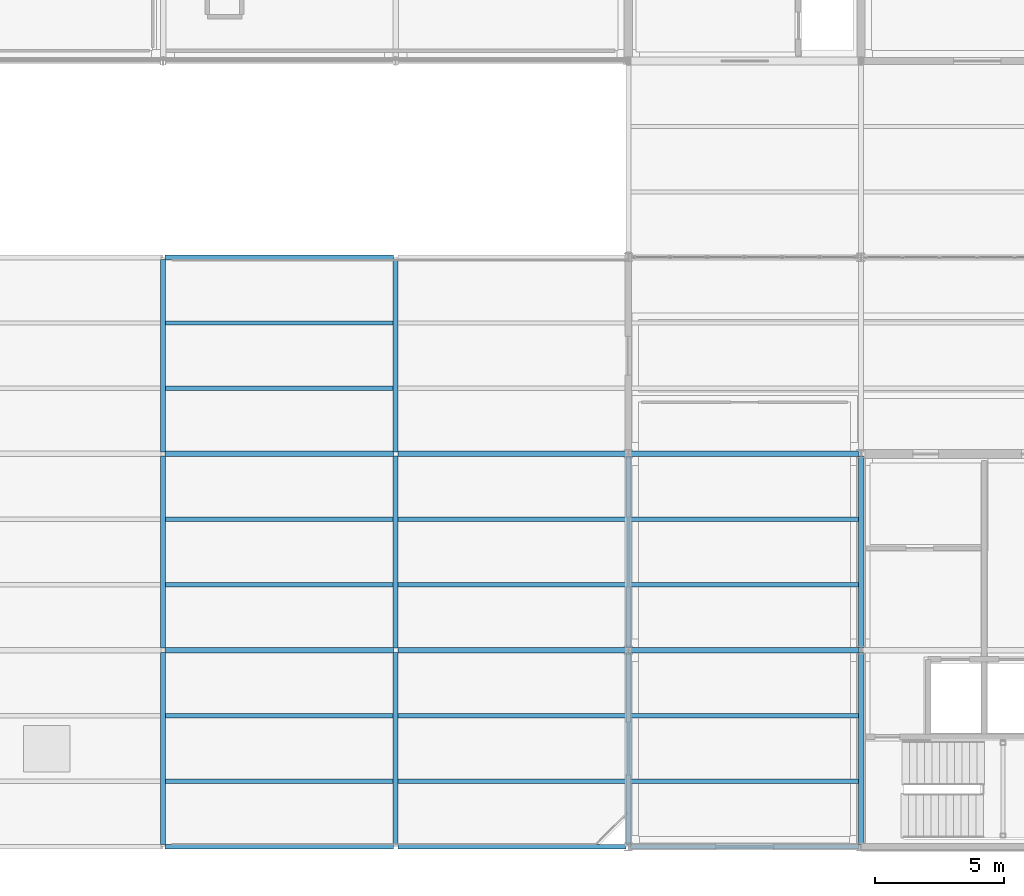
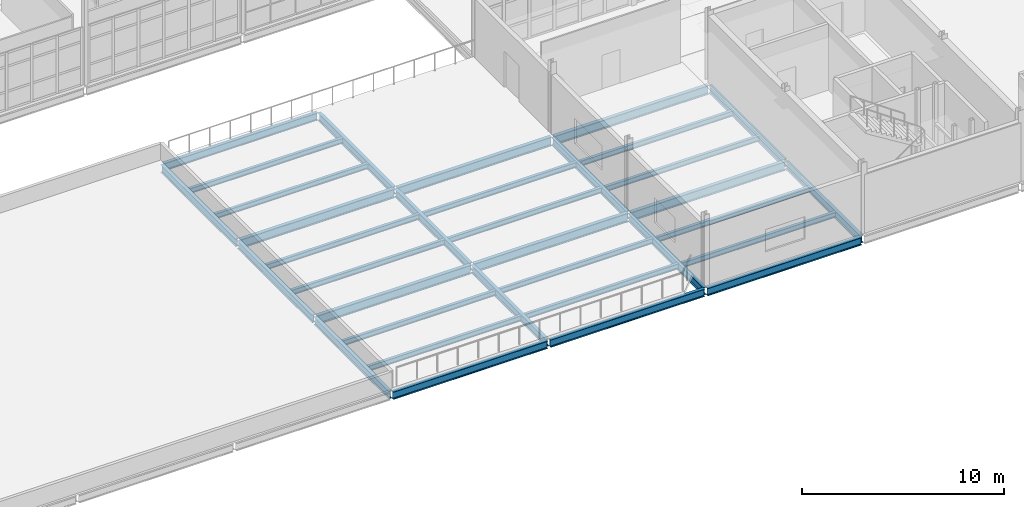
# One storey, part 30 of 166: 34 beams.
"""IFC4 building model written with IfcOpenShell, lengths in metres."""

from ifc_helpers import new_model, si_unit, direction, frame, origin, origin_2d, place, context, subcontext, project, spatial, i_section, extrude, material, material_profile, profile_set, type_object, element, save


model = new_model("IFC4")

# Units and contexts
model_context = context("Model", 3, precision=1e-05, world=origin(), true_north=direction((0.0, 1.0)))
body_context = subcontext(model_context, "Body", "Model", "MODEL_VIEW")
ifc_project = project(units=[si_unit("LENGTHUNIT", "METRE"), si_unit("AREAUNIT", "SQUARE_METRE"), si_unit("VOLUMEUNIT", "CUBIC_METRE"), si_unit("PLANEANGLEUNIT", "RADIAN"), si_unit("MASSUNIT", "GRAM", prefix="KILO")], contexts=[model_context])

# Site, building, storey
site_placement = place(None, origin())
site = spatial("IfcSite", under=ifc_project, at=site_placement, CompositionType="ELEMENT")
building_placement = place(site_placement, origin())
building = spatial("IfcBuilding", under=site, at=building_placement, Name="Caisbarro Railhouse Central Library", CompositionType="ELEMENT")
storey_placement = place(building_placement, frame((0.0, 0.0, 9.360107421875)))
storey = spatial("IfcBuildingStorey", under=building, at=storey_placement, Name="L02", CompositionType="ELEMENT", Elevation=9.360107421875)

# Beams
ifc_material = material(Name="Steel ASTM A572 Grade 50", Category="steel")
ifc_material_profile_1 = material_profile(ifc_material, i_section(OverallWidth=0.2119140625, OverallDepth=0.5439453125, WebThickness=0.01318359375, FlangeThickness=0.021240234375, FilletRadius=0.02001953125, at=origin_2d()), Name="W530X123.0")
ifc_profile_set_1 = profile_set([ifc_material_profile_1], Name="Steel ASTM A572 Grade 50")
beam_type_1 = type_object("IfcBeamType", Name="BM-G05", PredefinedType="BEAM", material=ifc_profile_set_1)
for number, where, z_axis, x_axis, name in (
    (1, (54.080078125, 7.60009765625, -0.51220703125), (1.0, 0.0, 0.0), (0.0, 1.0, 0.0), "G05 beam L02 #1284"),
    (2, (54.080078125, 15.199951171875, -0.51220703125), (1.0, 0.0, 0.0), (0.0, 1.0, 0.0), "G05 beam L02 #1290"),
    (3, (36.080078125, 7.60009765625, -0.482177734375), (1.0, 0.0, 0.0), (0.0, 1.0, 0.0), "G05 beam L02 #1585"),
    (4, (45.080078125, 7.60009765625, -0.482177734375), (1.0, 0.0, 0.0), (0.0, 1.0, 0.0), "G05 beam L02 #1586"),
    (5, (36.080078125, 15.199951171875, -0.482177734375), (1.0, 0.0, 0.0), (0.0, 1.0, 0.0), "G05 beam L02 #1587"),
    (6, (45.080078125, 15.199951171875, -0.482177734375), (1.0, 0.0, 0.0), (0.0, 1.0, 0.0), "G05 beam L02 #1588"),
):
    element("IfcBeam", number, at=place(storey_placement, frame(where, z_axis=z_axis, x_axis=x_axis)), inside=storey, type_object=beam_type_1, Name=name, PredefinedType="BEAM", context=body_context, shape_type="SweptSolid", body=[
        extrude(i_section(OverallWidth=0.2119140625, OverallDepth=0.5439453125, WebThickness=0.01318359375, FlangeThickness=0.021240234375, FilletRadius=0.02001953125, at=origin_2d()), origin(), (0.0, 0.0, 1.0), 8.83984375),
    ])
ifc_material_profile_2 = material_profile(ifc_material, i_section(OverallWidth=0.194091796875, OverallDepth=0.468994140625, WebThickness=0.0126953125, FlangeThickness=0.0205078125, FilletRadius=0.01806640625, at=origin_2d()), Name="W460X106.0")
ifc_profile_set_2 = profile_set([ifc_material_profile_2], Name="Steel ASTM A572 Grade 50")
beam_type_2 = type_object("IfcBeamType", Name="BM-G07", PredefinedType="BEAM", material=ifc_profile_set_2)
beam_1_placement = place(storey_placement, frame((54.0, 0.080078125, -0.474609375), z_axis=(0.0, 1.0, 0.0), x_axis=(-1.0, 0.0, 0.0)))
element("IfcBeam", 7, at=beam_1_placement, inside=storey, type_object=beam_type_2, Name="G07 beam L02 #1302", PredefinedType="BEAM", context=body_context, shape_type="SweptSolid", body=[
    extrude(i_section(OverallWidth=0.194091796875, OverallDepth=0.468994140625, WebThickness=0.0126953125, FlangeThickness=0.0205078125, FilletRadius=0.01806640625, at=origin_2d()), origin(), (0.0, 0.0, 1.0), 7.43994140625),
])
beam_2_placement = place(storey_placement, frame((54.0, 7.679931640625, -0.474609375), z_axis=(0.0, 1.0, 0.0), x_axis=(-1.0, 0.0, 0.0)))
element("IfcBeam", 8, at=beam_2_placement, inside=storey, type_object=beam_type_2, Name="G07 beam L02 #1303", PredefinedType="BEAM", context=body_context, shape_type="SweptSolid", body=[
    extrude(i_section(OverallWidth=0.194091796875, OverallDepth=0.468994140625, WebThickness=0.0126953125, FlangeThickness=0.0205078125, FilletRadius=0.01806640625, at=origin_2d()), origin(), (0.0, 0.0, 1.0), 7.440185546875),
])
beam_3_placement = place(storey_placement, frame((63.0, 0.080078125, -0.474609375), z_axis=(0.0, 1.0, 0.0), x_axis=(-1.0, 0.0, 0.0)))
element("IfcBeam", 9, at=beam_3_placement, inside=storey, type_object=beam_type_2, Name="G07 beam L02 #1305", PredefinedType="BEAM", context=body_context, shape_type="SweptSolid", body=[
    extrude(i_section(OverallWidth=0.194091796875, OverallDepth=0.468994140625, WebThickness=0.0126953125, FlangeThickness=0.0205078125, FilletRadius=0.01806640625, at=origin_2d()), origin(), (0.0, 0.0, 1.0), 7.43994140625),
])
beam_4_placement = place(storey_placement, frame((63.0, 7.679931640625, -0.474609375), z_axis=(0.0, 1.0, 0.0), x_axis=(-1.0, 0.0, 0.0)))
element("IfcBeam", 10, at=beam_4_placement, inside=storey, type_object=beam_type_2, Name="G07 beam L02 #1306", PredefinedType="BEAM", context=body_context, shape_type="SweptSolid", body=[
    extrude(i_section(OverallWidth=0.194091796875, OverallDepth=0.468994140625, WebThickness=0.0126953125, FlangeThickness=0.0205078125, FilletRadius=0.01806640625, at=origin_2d()), origin(), (0.0, 0.0, 1.0), 7.440185546875),
])
beam_5_placement = place(storey_placement, frame((36.0, 0.080078125, -0.444580078125), z_axis=(0.0, 1.0, 0.0), x_axis=(-1.0, 0.0, 0.0)))
element("IfcBeam", 11, at=beam_5_placement, inside=storey, type_object=beam_type_2, Name="G07 beam L02 #1591", PredefinedType="BEAM", context=body_context, shape_type="SweptSolid", body=[
    extrude(i_section(OverallWidth=0.194091796875, OverallDepth=0.468994140625, WebThickness=0.0126953125, FlangeThickness=0.0205078125, FilletRadius=0.01806640625, at=origin_2d()), origin(), (0.0, 0.0, 1.0), 7.43994140625),
])
beam_6_placement = place(storey_placement, frame((36.0, 7.679931640625, -0.444580078125), z_axis=(0.0, 1.0, 0.0), x_axis=(-1.0, 0.0, 0.0)))
element("IfcBeam", 12, at=beam_6_placement, inside=storey, type_object=beam_type_2, Name="G07 beam L02 #1592", PredefinedType="BEAM", context=body_context, shape_type="SweptSolid", body=[
    extrude(i_section(OverallWidth=0.194091796875, OverallDepth=0.468994140625, WebThickness=0.0126953125, FlangeThickness=0.0205078125, FilletRadius=0.01806640625, at=origin_2d()), origin(), (0.0, 0.0, 1.0), 7.440185546875),
])
for number, where, z_axis, x_axis, name in (
    (13, (36.0, 15.280029296875, -0.444580078125), (0.0, 1.0, 0.0), (-1.0, 0.0, 0.0), "G07 beam L02 #1593"),
    (14, (45.0, 0.080078125, -0.444580078125), (0.0, 1.0, 0.0), (-1.0, 0.0, 0.0), "G07 beam L02 #1594"),
):
    element("IfcBeam", number, at=place(storey_placement, frame(where, z_axis=z_axis, x_axis=x_axis)), inside=storey, type_object=beam_type_2, Name=name, PredefinedType="BEAM", context=body_context, shape_type="SweptSolid", body=[
        extrude(i_section(OverallWidth=0.194091796875, OverallDepth=0.468994140625, WebThickness=0.0126953125, FlangeThickness=0.0205078125, FilletRadius=0.01806640625, at=origin_2d()), origin(), (0.0, 0.0, 1.0), 7.43994140625),
    ])
beam_7_placement = place(storey_placement, frame((45.0, 7.679931640625, -0.444580078125), z_axis=(0.0, 1.0, 0.0), x_axis=(-1.0, 0.0, 0.0)))
element("IfcBeam", 15, at=beam_7_placement, inside=storey, type_object=beam_type_2, Name="G07 beam L02 #1595", PredefinedType="BEAM", context=body_context, shape_type="SweptSolid", body=[
    extrude(i_section(OverallWidth=0.194091796875, OverallDepth=0.468994140625, WebThickness=0.0126953125, FlangeThickness=0.0205078125, FilletRadius=0.01806640625, at=origin_2d()), origin(), (0.0, 0.0, 1.0), 7.440185546875),
])
beam_8_placement = place(storey_placement, frame((45.0, 15.280029296875, -0.444580078125), z_axis=(0.0, 1.0, 0.0), x_axis=(-1.0, 0.0, 0.0)))
element("IfcBeam", 16, at=beam_8_placement, inside=storey, type_object=beam_type_2, Name="G07 beam L02 #1596", PredefinedType="BEAM", context=body_context, shape_type="SweptSolid", body=[
    extrude(i_section(OverallWidth=0.194091796875, OverallDepth=0.468994140625, WebThickness=0.0126953125, FlangeThickness=0.0205078125, FilletRadius=0.01806640625, at=origin_2d()), origin(), (0.0, 0.0, 1.0), 7.43994140625),
])
ifc_material_profile_3 = material_profile(ifc_material, i_section(OverallWidth=0.1669921875, OverallDepth=0.31689453125, WebThickness=0.007568359375, FlangeThickness=0.01318359375, FilletRadius=0.011962890625, at=origin_2d()), Name="W310X52.0")
ifc_profile_set_3 = profile_set([ifc_material_profile_3], Name="Steel ASTM A572 Grade 50")
beam_type_3 = type_object("IfcBeamType", Name="BM-J02", PredefinedType="JOIST", material=ifc_profile_set_3)
for number, where, z_axis, x_axis, name in (
    (17, (54.096923828125, 2.533203125, -0.398681640625), (1.0, 0.0, 0.0), (0.0, 1.0, 0.0), "J02 beam L02 #1323"),
    (18, (54.096923828125, 5.066650390625, -0.398681640625), (1.0, 0.0, 0.0), (0.0, 1.0, 0.0), "J02 beam L02 #1324"),
    (19, (54.096923828125, 10.13330078125, -0.398681640625), (1.0, 0.0, 0.0), (0.0, 1.0, 0.0), "J02 beam L02 #1325"),
    (20, (54.096923828125, 12.666748046875, -0.398681640625), (1.0, 0.0, 0.0), (0.0, 1.0, 0.0), "J02 beam L02 #1326"),
    (21, (36.096923828125, 2.533203125, -0.36865234375), (1.0, 0.0, 0.0), (0.0, 1.0, 0.0), "J02 beam L02 #1597"),
    (22, (36.096923828125, 5.066650390625, -0.36865234375), (1.0, 0.0, 0.0), (0.0, 1.0, 0.0), "J02 beam L02 #1598"),
    (23, (36.096923828125, 10.13330078125, -0.36865234375), (1.0, 0.0, 0.0), (0.0, 1.0, 0.0), "J02 beam L02 #1599"),
    (24, (36.096923828125, 12.666748046875, -0.36865234375), (1.0, 0.0, 0.0), (0.0, 1.0, 0.0), "J02 beam L02 #1600"),
    (25, (36.096923828125, 17.7333984375, -0.36865234375), (1.0, 0.0, 0.0), (0.0, 1.0, 0.0), "J02 beam L02 #1601"),
    (26, (36.096923828125, 20.2666015625, -0.36865234375), (1.0, 0.0, 0.0), (0.0, 1.0, 0.0), "J02 beam L02 #1602"),
    (27, (45.096923828125, 2.533203125, -0.36865234375), (1.0, 0.0, 0.0), (0.0, 1.0, 0.0), "J02 beam L02 #1603"),
    (28, (45.096923828125, 5.066650390625, -0.36865234375), (1.0, 0.0, 0.0), (0.0, 1.0, 0.0), "J02 beam L02 #1604"),
    (29, (45.096923828125, 10.13330078125, -0.36865234375), (1.0, 0.0, 0.0), (0.0, 1.0, 0.0), "J02 beam L02 #1605"),
    (30, (45.096923828125, 12.666748046875, -0.36865234375), (1.0, 0.0, 0.0), (0.0, 1.0, 0.0), "J02 beam L02 #1606"),
):
    element("IfcBeam", number, at=place(storey_placement, frame(where, z_axis=z_axis, x_axis=x_axis)), inside=storey, type_object=beam_type_3, Name=name, PredefinedType="JOIST", context=body_context, shape_type="SweptSolid", body=[
        extrude(i_section(OverallWidth=0.1669921875, OverallDepth=0.31689453125, WebThickness=0.007568359375, FlangeThickness=0.01318359375, FilletRadius=0.011962890625, at=origin_2d()), origin(), (0.0, 0.0, 1.0), 8.80615234375),
    ])
ifc_material_profile_4 = material_profile(ifc_material, i_section(OverallWidth=0.18994140625, OverallDepth=0.45703125, WebThickness=0.009033203125, FlangeThickness=0.014404296875, FilletRadius=0.01806640625, at=origin_2d()), Name="W460X74.0")
ifc_profile_set_4 = profile_set([ifc_material_profile_4], Name="Steel ASTM A572 Grade 50")
beam_type_4 = type_object("IfcBeamType", Name="BM-SP01", PredefinedType="SPANDREL", material=ifc_profile_set_4)
for number, where, z_axis, x_axis, name in (
    (31, (54.080078125, 0.0, -0.468505859375), (1.0, 0.0, 0.0), (0.0, 1.0, 0.0), "SP01 beam L02 #1278"),
    (32, (36.080078125, 0.0, -0.438720703125), (1.0, 0.0, 0.0), (0.0, 1.0, 0.0), "SP01 beam L02 #1583"),
    (33, (45.080078125, 0.0, -0.438720703125), (1.0, 0.0, 0.0), (0.0, 1.0, 0.0), "SP01 beam L02 #1584"),
    (34, (36.080078125, 22.800048828125, -0.438720703125), (1.0, 0.0, 0.0), (0.0, 1.0, 0.0), "SP01 beam L02 #1589"),
):
    element("IfcBeam", number, at=place(storey_placement, frame(where, z_axis=z_axis, x_axis=x_axis)), inside=storey, type_object=beam_type_4, Name=name, PredefinedType="SPANDREL", context=body_context, shape_type="SweptSolid", body=[
        extrude(i_section(OverallWidth=0.18994140625, OverallDepth=0.45703125, WebThickness=0.009033203125, FlangeThickness=0.014404296875, FilletRadius=0.01806640625, at=origin_2d()), origin(), (0.0, 0.0, 1.0), 8.83984375),
    ])

save(model, "model.ifc")
